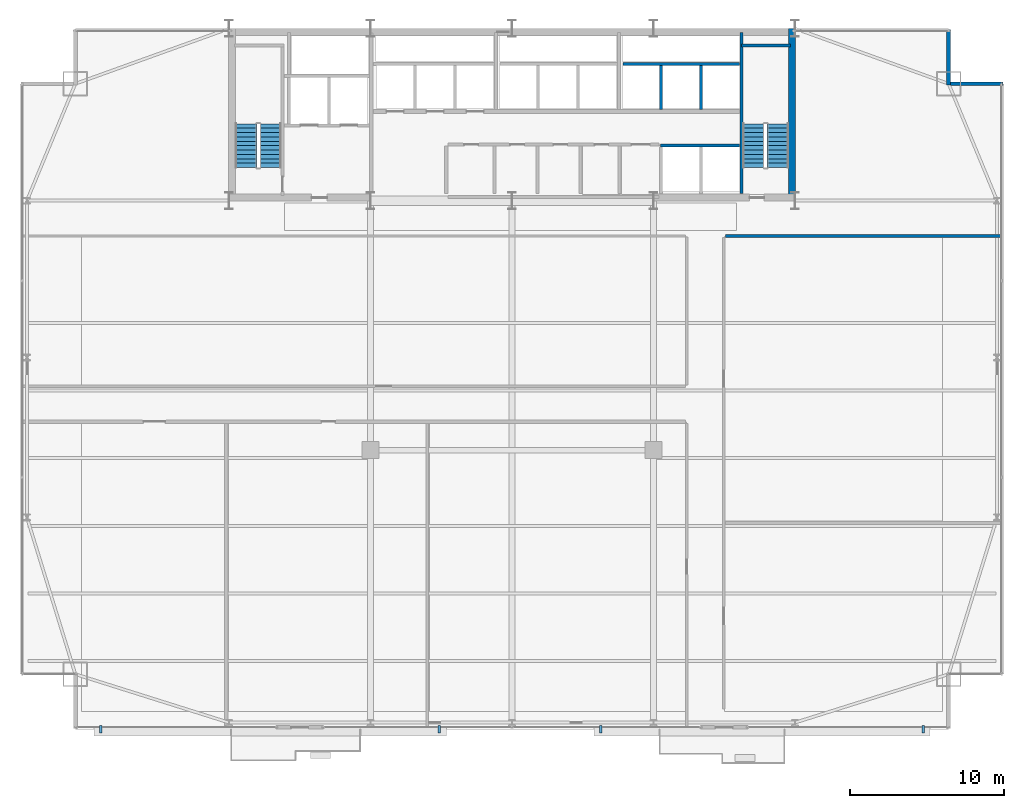
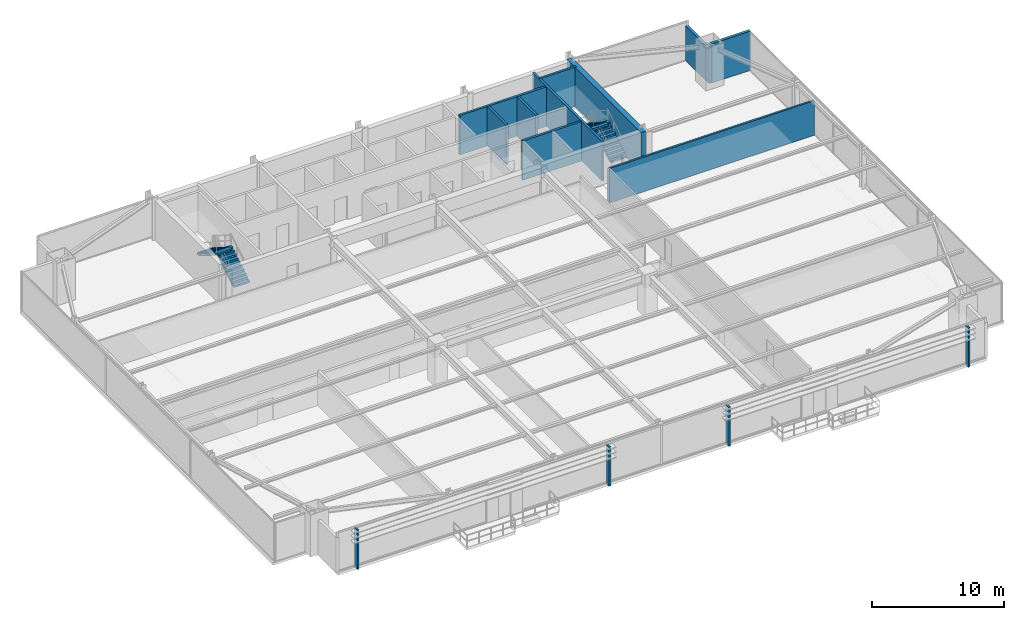
# One storey, part 29 of 31: 10 walls, 4 discrete accessories, 4 stair flights, 2 elements without a shape of their own.
"""IFC4 building model written with IfcOpenShell, lengths in metres."""

from ifc_helpers import new_model, si_unit, direction, frame, frame_2d, origin, origin_2d, place, context, subcontext, project, spatial, polyline, rectangle, outline, extrude, source, transform, mapped, material, layer, layer_set, type_object, type_shapes, element, aggregate, save


model = new_model("IFC4")

# Units and contexts
model_context = context("Model", 3, precision=1e-05, world=origin(), true_north=direction((0.0, 1.0)))
body_context = subcontext(model_context, "Body", "Model", "MODEL_VIEW")
ifc_project = project(units=[si_unit("LENGTHUNIT", "METRE"), si_unit("AREAUNIT", "SQUARE_METRE"), si_unit("VOLUMEUNIT", "CUBIC_METRE"), si_unit("PLANEANGLEUNIT", "RADIAN"), si_unit("MASSUNIT", "GRAM", prefix="KILO")], contexts=[model_context])

# Site, building, storey
site_placement = place(None, origin())
site = spatial("IfcSite", under=ifc_project, at=site_placement, CompositionType="ELEMENT")
building_placement = place(site_placement, origin())
building = spatial("IfcBuilding", under=site, at=building_placement, Name="Varnel Quay Broadcast Tower", CompositionType="ELEMENT")
storey_placement = place(building_placement, frame((0.0, 0.0, 51.0)))
storey = spatial("IfcBuildingStorey", under=building, at=storey_placement, Name="L11", CompositionType="ELEMENT", Elevation=51.0)

# Walls
ifc_material_1 = material(Name="Concrete CSA A23.3 C50/60", Category="concrete")
ifc_layer_1 = layer(ifc_material_1, 0.199951171875, Name="Concrete CSA A23.3 C50/60")
ifc_layer_set_1 = layer_set([ifc_layer_1], Name="Concrete CSA A23.3 C50/60")
wall_type_1 = type_object("IfcWallType", Name="Wall_CoreShaftShear200", PredefinedType="SHEAR", material=ifc_layer_set_1)
wall_1_placement = place(storey_placement, frame((48.919921875, 36.050048828125, 0.0), z_axis=(0.0, 0.0, 1.0), x_axis=(0.0, 1.0, 0.0)))
element("IfcWall", 1, at=wall_1_placement, inside=storey, type_object=wall_type_1, Name="L11 Stair 2 West Structural Wall", PredefinedType="SHEAR", context=body_context, shape_type="SweptSolid", body=[
    extrude(rectangle(XDim=10.5, YDim=0.199951171875, at=frame_2d((5.25, 0.0))), origin(), (0.0, 0.0, 1.0), 3.64990234375),
])
wall_2_placement = place(storey_placement, frame((48.919921875, 45.679931640625, 0.0), z_axis=(0.0, 0.0, 1.0), x_axis=(1.0, 0.0, 0.0)))
element("IfcWall", 2, at=wall_2_placement, inside=storey, type_object=wall_type_1, Name="L11 Stair 2 North Structural Wall", PredefinedType="SHEAR", context=body_context, shape_type="SweptSolid", body=[
    extrude(rectangle(XDim=3.18017578125, YDim=0.199951171875, at=frame_2d((1.590087890625, 0.0))), origin(), (0.0, 0.0, 1.0), 3.64990234375),
])
wall_3_placement = place(storey_placement, frame((41.219970703125, 44.5, 0.0), z_axis=(0.0, 0.0, 1.0), x_axis=(1.0, 0.0, 0.0)))
element("IfcWall", 3, at=wall_3_placement, inside=storey, type_object=wall_type_1, Name="L11 High-Rise Lift Shaft Rear Wall", PredefinedType="SHEAR", context=body_context, shape_type="SweptSolid", body=[
    extrude(rectangle(XDim=7.580078125, YDim=0.199951171875, at=frame_2d((3.7900390625, 0.0))), origin(), (0.0, 0.0, 1.0), 3.64990234375),
])
for number, where, z_axis, x_axis, name in (
    (4, (43.699951171875, 41.530029296875, 0.0), (0.0, 0.0, 1.0), (0.0, 1.0, 0.0), "L11 High-Rise Lift Shaft Divider 2"),
    (5, (46.300048828125, 41.530029296875, 0.0), (0.0, 0.0, 1.0), (0.0, 1.0, 0.0), "L11 High-Rise Lift Shaft Divider 3"),
):
    element("IfcWall", number, at=place(storey_placement, frame(where, z_axis=z_axis, x_axis=x_axis)), inside=storey, type_object=wall_type_1, Name=name, PredefinedType="SHEAR", context=body_context, shape_type="SweptSolid", body=[
        extrude(rectangle(XDim=2.869873046875, YDim=0.199951171875, at=frame_2d((1.43505859375, 0.0))), origin(), (0.0, 0.0, 1.0), 3.64990234375),
    ])
wall_4_placement = place(storey_placement, frame((43.64990234375, 39.199951171875, 0.0), z_axis=(0.0, 0.0, 1.0), x_axis=(1.0, 0.0, 0.0)))
element("IfcWall", 6, at=wall_4_placement, inside=storey, type_object=wall_type_1, Name="L11 Express Lift Shaft North Front Wall", PredefinedType="SHEAR", context=body_context, shape_type="SweptSolid", body=[
    extrude(rectangle(XDim=5.150146484375, YDim=0.199951171875, at=frame_2d((2.5751953125, 0.0))), origin(), (0.0, 0.0, 1.0), 3.64990234375),
])
ifc_material_2 = material(Name="Concrete CSA A23.3 C60/75", Category="concrete")
ifc_layer_2 = layer(ifc_material_2, 0.449951171875, Name="Concrete CSA A23.3 C60/75")
ifc_layer_set_2 = layer_set([ifc_layer_2], Name="Concrete CSA A23.3 C60/75")
wall_type_2 = type_object("IfcWallType", Name="Wall_CoreShearInt450", PredefinedType="SHEAR", material=ifc_layer_set_2)
wall_5_placement = place(storey_placement, frame((52.205078125, 35.570068359375, 0.0), z_axis=(0.0, 0.0, 1.0), x_axis=(0.0, 1.0, 0.0)))
element("IfcWall", 7, at=wall_5_placement, inside=storey, type_object=wall_type_2, Name="L11 East Core Shear Wall", PredefinedType="SHEAR", context=body_context, shape_type="SweptSolid", body=[
    extrude(rectangle(XDim=11.22998046875, YDim=0.449951171875, at=frame_2d((5.614990234375, 0.0))), origin(), (0.0, 0.0, 1.0), 3.64990234375),
])
ifc_material_3 = material(Name="Precast Architectural Concrete C40/50", Category="concrete")
ifc_layer_3 = layer(ifc_material_3, 0.25, Name="Precast Architectural Concrete C40/50")
ifc_layer_set_3 = layer_set([ifc_layer_3], Name="Precast Architectural Concrete C40/50")
wall_type_3 = type_object("IfcWallType", Name="Wall_ExtTerrace250", PredefinedType="SOLIDWALL", material=ifc_layer_set_3)
wall_6_placement = place(storey_placement, frame((62.530029296875, 43.199951171875, 0.0), z_axis=(0.0, 0.0, 1.0), x_axis=(1.0, 0.0, 0.0)))
element("IfcWall", 8, at=wall_6_placement, inside=storey, type_object=wall_type_3, Name="L11 Mega-Column Notch Cladding Wall NNE1", PredefinedType="SOLIDWALL", context=body_context, shape_type="SweptSolid", body=[
    extrude(rectangle(XDim=3.389892578125, YDim=0.25, at=frame_2d((1.69482421875, 0.0))), origin(), (0.0, 0.0, 1.0), 3.6298828125),
])
wall_7_placement = place(storey_placement, frame((62.39990234375, 43.1201171875, 0.0), z_axis=(0.0, 0.0, 1.0), x_axis=(0.0, 1.0, 0.0)))
element("IfcWall", 9, at=wall_7_placement, inside=storey, type_object=wall_type_3, Name="L11 Mega-Column Notch Cladding Wall NNE2", PredefinedType="SOLIDWALL", context=body_context, shape_type="SweptSolid", body=[
    extrude(rectangle(XDim=3.599853515625, YDim=0.25, at=frame_2d((1.7998046875, 0.0))), origin(), (0.0, 0.0, 1.0), 3.2080078125),
])
ifc_material_4 = material(Name="Steel-Stud Fire-Rated Acoustic Gypsum Partition Assembly", Category="steel")
ifc_layer_4 = layer(ifc_material_4, 0.175048828125, Name="Steel-Stud Fire-Rated Acoustic Gypsum Partition Assembly")
ifc_layer_set_4 = layer_set([ifc_layer_4], Name="Steel-Stud Fire-Rated Acoustic Gypsum Partition Assembly")
wall_type_4 = type_object("IfcWallType", Name="Wall_Partition175", PredefinedType="PARTITIONING", material=ifc_layer_set_4)
wall_8_placement = place(storey_placement, frame((47.8701171875, 33.300048828125, 0.0), z_axis=(0.0, 0.0, 1.0), x_axis=(1.0, 0.0, 0.0)))
element("IfcWall", 10, at=wall_8_placement, inside=storey, type_object=wall_type_4, Name="L11 Press Briefing Room 6 Partition 17", PredefinedType="PARTITIONING", context=body_context, shape_type="SweptSolid", body=[
    extrude(rectangle(XDim=17.949951171875, YDim=0.175048828125, at=frame_2d((8.97509765625, 0.0))), origin(), (0.0, 0.0, 1.0), 3.2080078125),
])

# Stair, stair flights
ifc_material_5 = material(Name="Precast Structural Concrete C40/50", Category="concrete")
stair_type_1 = type_object("IfcStairType", Name="Stair_ST-01", PredefinedType="HALF_TURN_STAIR", material=ifc_material_5)
stair_1_placement = place(storey_placement, origin())
stair_1 = element("IfcStair", 11, at=stair_1_placement, inside=storey, type_object=stair_type_1, Name="L11 West Core Exit Stair 1", PredefinedType="HALF_TURN_STAIR")
stair_flight_type_1 = type_object("IfcStairFlightType", Name="Flight_ST-01", PredefinedType="STRAIGHT", material=ifc_material_5)
stair_flight_1_placement = place(storey_placement, frame((18.300048828125, 37.75, 0.0), z_axis=(0.0, 0.0, 1.0), x_axis=(0.0, 1.0, 0.0)))
stair_flight_1 = element("IfcStairFlight", 12, at=stair_flight_1_placement, type_object=stair_flight_type_1, Name="ST-01 flight 1", NumberOfRisers=11, NumberOfTreads=10, PredefinedType="STRAIGHT", RiserHeight=0.177272727, TreadLength=0.285, context=body_context, shape_type="SweptSolid", body=[
    extrude(outline(polyline([(0.0, 0.0), (0.0, 0.17724609375), (0.284912109375, 0.17724609375), (0.284912109375, 0.3544921875), (0.570068359375, 0.3544921875), (0.570068359375, 0.53173828125), (0.85498046875, 0.53173828125), (0.85498046875, 0.708984375), (1.139892578125, 0.708984375), (1.139892578125, 0.886474609375), (1.425048828125, 0.886474609375), (1.425048828125, 1.063720703125), (1.7099609375, 1.063720703125), (1.7099609375, 1.240966796875), (1.9951171875, 1.240966796875), (1.9951171875, 1.418212890625), (2.280029296875, 1.418212890625), (2.280029296875, 1.595458984375), (2.56494140625, 1.595458984375), (2.56494140625, 1.772705078125), (2.85009765625, 1.772705078125), (2.85009765625, 1.949951171875), (2.85009765625, 1.59619140625), (0.283935546875, 0.0), (0.0, 0.0)])), frame((0.0, 0.699951171875, 0.0), z_axis=(0.0, -1.0, 0.0), x_axis=(1.0, 0.0, 0.0)), (0.0, 0.0, 1.0), 1.39990234375),
])
stair_flight_2_placement = place(storey_placement, frame((16.699951171875, 40.60009765625, 1.949951171875), z_axis=(0.0, 0.0, 1.0), x_axis=(0.0, -1.0, 0.0)))
stair_flight_2 = element("IfcStairFlight", 13, at=stair_flight_2_placement, type_object=stair_flight_type_1, Name="ST-01 flight 2", NumberOfRisers=11, NumberOfTreads=10, PredefinedType="STRAIGHT", RiserHeight=0.177272727, TreadLength=0.285, context=body_context, shape_type="SweptSolid", body=[
    extrude(outline(polyline([(0.0, 0.0), (0.0, 0.17724609375), (0.284912109375, 0.17724609375), (0.284912109375, 0.3544921875), (0.570068359375, 0.3544921875), (0.570068359375, 0.53173828125), (0.85498046875, 0.53173828125), (0.85498046875, 0.708984375), (1.139892578125, 0.708984375), (1.139892578125, 0.886474609375), (1.425048828125, 0.886474609375), (1.425048828125, 1.063720703125), (1.7099609375, 1.063720703125), (1.7099609375, 1.240966796875), (1.9951171875, 1.240966796875), (1.9951171875, 1.418212890625), (2.280029296875, 1.418212890625), (2.280029296875, 1.595458984375), (2.56494140625, 1.595458984375), (2.56494140625, 1.772705078125), (2.85009765625, 1.772705078125), (2.85009765625, 1.949951171875), (2.85009765625, 1.59619140625), (0.283935546875, 0.0), (0.0, 0.0)])), frame((0.0, 0.699951171875, 0.0), z_axis=(0.0, -1.0, 0.0), x_axis=(1.0, 0.0, 0.0)), (0.0, 0.0, 1.0), 1.39990234375),
])
aggregate(stair_1, [stair_flight_1, stair_flight_2])

stair_type_2 = type_object("IfcStairType", Name="Stair_ST-02", PredefinedType="HALF_TURN_STAIR", material=ifc_material_5)
stair_2_placement = place(storey_placement, origin())
stair_2 = element("IfcStair", 14, at=stair_2_placement, inside=storey, type_object=stair_type_2, Name="L11 East Core Exit Stair 2", PredefinedType="HALF_TURN_STAIR")
stair_flight_type_2 = type_object("IfcStairFlightType", Name="Flight_ST-02", PredefinedType="STRAIGHT", material=ifc_material_5)
stair_flight_3_placement = place(storey_placement, frame((51.300048828125, 37.75, 0.0), z_axis=(0.0, 0.0, 1.0), x_axis=(0.0, 1.0, 0.0)))
stair_flight_3 = element("IfcStairFlight", 15, at=stair_flight_3_placement, type_object=stair_flight_type_2, Name="ST-02 flight 1", NumberOfRisers=11, NumberOfTreads=10, PredefinedType="STRAIGHT", RiserHeight=0.177272727, TreadLength=0.285, context=body_context, shape_type="SweptSolid", body=[
    extrude(outline(polyline([(0.0, 0.0), (0.0, 0.17724609375), (0.284912109375, 0.17724609375), (0.284912109375, 0.3544921875), (0.570068359375, 0.3544921875), (0.570068359375, 0.53173828125), (0.85498046875, 0.53173828125), (0.85498046875, 0.708984375), (1.139892578125, 0.708984375), (1.139892578125, 0.886474609375), (1.425048828125, 0.886474609375), (1.425048828125, 1.063720703125), (1.7099609375, 1.063720703125), (1.7099609375, 1.240966796875), (1.9951171875, 1.240966796875), (1.9951171875, 1.418212890625), (2.280029296875, 1.418212890625), (2.280029296875, 1.595458984375), (2.56494140625, 1.595458984375), (2.56494140625, 1.772705078125), (2.85009765625, 1.772705078125), (2.85009765625, 1.949951171875), (2.85009765625, 1.59619140625), (0.283935546875, 0.0), (0.0, 0.0)])), frame((0.0, 0.699951171875, 0.0), z_axis=(0.0, -1.0, 0.0), x_axis=(1.0, 0.0, 0.0)), (0.0, 0.0, 1.0), 1.39990234375),
])
stair_flight_4_placement = place(storey_placement, frame((49.699951171875, 40.60009765625, 1.949951171875), z_axis=(0.0, 0.0, 1.0), x_axis=(0.0, -1.0, 0.0)))
stair_flight_4 = element("IfcStairFlight", 16, at=stair_flight_4_placement, type_object=stair_flight_type_2, Name="ST-02 flight 2", NumberOfRisers=11, NumberOfTreads=10, PredefinedType="STRAIGHT", RiserHeight=0.177272727, TreadLength=0.285, context=body_context, shape_type="SweptSolid", body=[
    extrude(outline(polyline([(0.0, 0.0), (0.0, 0.17724609375), (0.284912109375, 0.17724609375), (0.284912109375, 0.3544921875), (0.570068359375, 0.3544921875), (0.570068359375, 0.53173828125), (0.85498046875, 0.53173828125), (0.85498046875, 0.708984375), (1.139892578125, 0.708984375), (1.139892578125, 0.886474609375), (1.425048828125, 0.886474609375), (1.425048828125, 1.063720703125), (1.7099609375, 1.063720703125), (1.7099609375, 1.240966796875), (1.9951171875, 1.240966796875), (1.9951171875, 1.418212890625), (2.280029296875, 1.418212890625), (2.280029296875, 1.595458984375), (2.56494140625, 1.595458984375), (2.56494140625, 1.772705078125), (2.85009765625, 1.772705078125), (2.85009765625, 1.949951171875), (2.85009765625, 1.59619140625), (0.283935546875, 0.0), (0.0, 0.0)])), frame((0.0, 0.699951171875, 0.0), z_axis=(0.0, -1.0, 0.0), x_axis=(1.0, 0.0, 0.0)), (0.0, 0.0, 1.0), 1.39990234375),
])
aggregate(stair_2, [stair_flight_3, stair_flight_4])

# Discrete accessories
ifc_material_6 = material(Name="Anodised Bronze Aluminium 6063-T6", Category="aluminium")
ifc_layer_5 = layer(ifc_material_6, 0.47998046875, Name="Anodised Bronze Aluminium 6063-T6")
ifc_layer_set_5 = layer_set([ifc_layer_5], Name="Anodised Bronze Aluminium 6063-T6")
discrete_accessory_type = type_object("IfcDiscreteAccessoryType", Name="Acc_FacadeBracket", PredefinedType="BRACKET", material=ifc_layer_set_5)
shared_shape = source(origin(), body_context, "Body", "SweptSolid", [
    extrude(rectangle(XDim=0.159912109375, YDim=0.47998046875, at=origin_2d()), origin(), (0.0, 0.0, 1.0), 3.64990234375),
])
type_shapes(discrete_accessory_type, [shared_shape])
for number, where, z_axis, x_axis, name in (
    (17, (7.25, 1.219970703125, -0.14990234375), (0.0, 0.0, 1.0), (1.0, 0.0, 0.0), "L11 Lobe 1 Louvre Support Bracket 1"),
    (18, (29.279052734375, 1.219970703125, -0.14990234375), (0.0, 0.0, 1.0), (1.0, 0.0, 0.0), "L11 Lobe 1 Louvre Support Bracket 2"),
    (19, (39.779052734375, 1.219970703125, -0.14990234375), (0.0, 0.0, 1.0), (1.0, 0.0, 0.0), "L11 Lobe 2 Louvre Support Bracket 1"),
    (20, (60.75, 1.219970703125, -0.14990234375), (0.0, 0.0, 1.0), (1.0, 0.0, 0.0), "L11 Lobe 2 Louvre Support Bracket 2"),
):
    element("IfcDiscreteAccessory", number, at=place(storey_placement, frame(where, z_axis=z_axis, x_axis=x_axis)), inside=storey, type_object=discrete_accessory_type, Name=name, PredefinedType="BRACKET", context=body_context, shape_type="MappedRepresentation", body=[
        mapped(shared_shape, transform((0.0, 0.0, 0.0), x_axis=(1.0, 0.0, 0.0), y_axis=(0.0, 1.0, 0.0), z_axis=(0.0, 0.0, 1.0), scale=1.0)),
    ])

save(model, "model.ifc")
